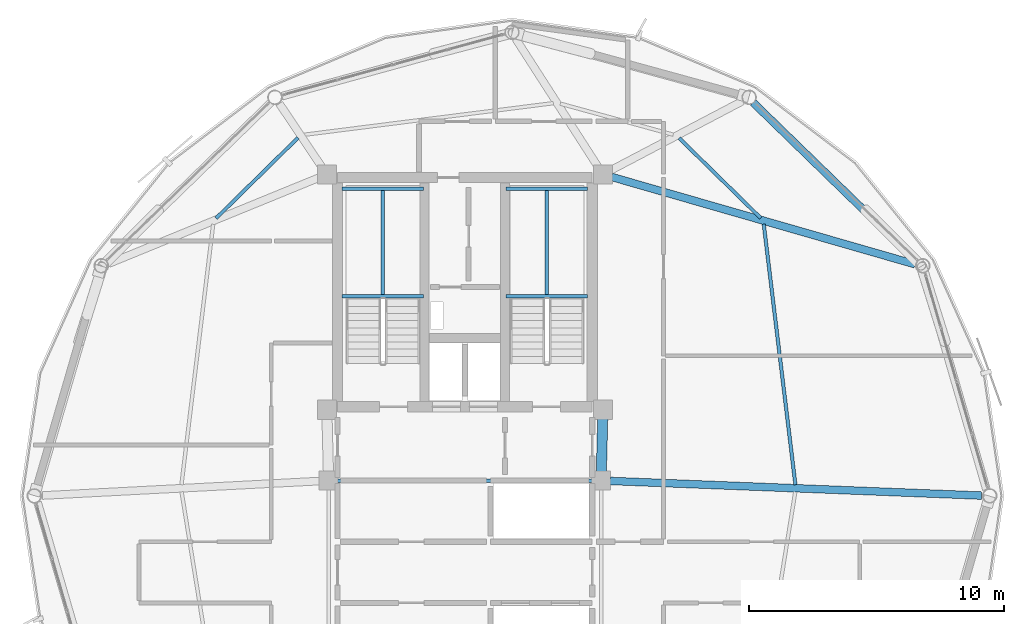
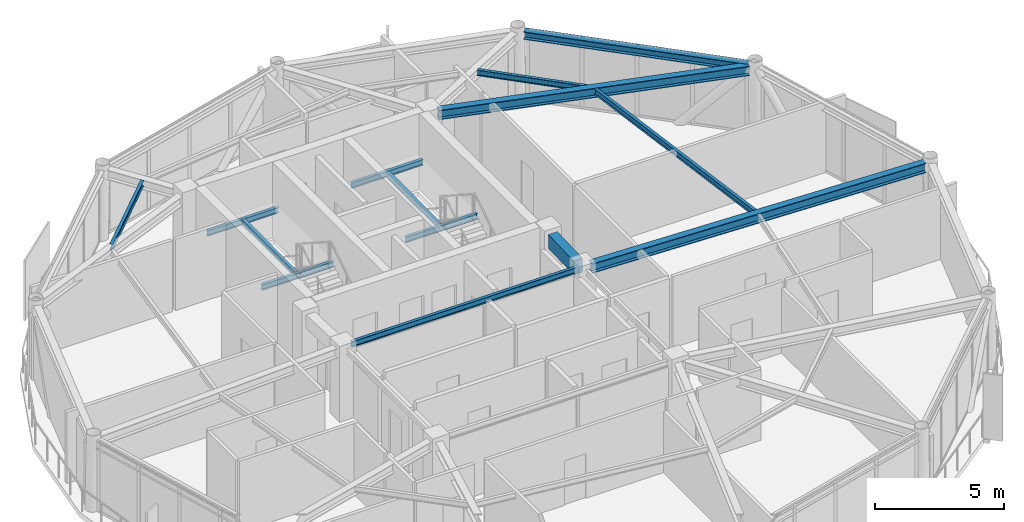
# One storey, part 14 of 27: 14 beams.
"""IFC4 building model written with IfcOpenShell, lengths in metres."""

from ifc_helpers import new_model, si_unit, direction, frame, origin, origin_2d, place, context, subcontext, project, spatial, rectangle, i_section, extrude, material, material_profile, profile_set, type_object, element, save


model = new_model("IFC4")

# Units and contexts
model_context = context("Model", 3, precision=1e-05, world=origin(), true_north=direction((0.0, 1.0)))
body_context = subcontext(model_context, "Body", "Model", "MODEL_VIEW")
ifc_project = project(units=[si_unit("LENGTHUNIT", "METRE"), si_unit("AREAUNIT", "SQUARE_METRE"), si_unit("VOLUMEUNIT", "CUBIC_METRE"), si_unit("PLANEANGLEUNIT", "RADIAN"), si_unit("MASSUNIT", "GRAM", prefix="KILO")], contexts=[model_context])

# Site, building, storey
site_placement = place(None, origin())
site = spatial("IfcSite", under=ifc_project, at=site_placement, CompositionType="ELEMENT")
building_placement = place(site_placement, origin())
building = spatial("IfcBuilding", under=site, at=building_placement, Name="Varnakorn Sky Granary", CompositionType="ELEMENT")
storey_placement = place(building_placement, frame((0.0, 0.0, 232.800048828125)))
storey = spatial("IfcBuildingStorey", under=building, at=storey_placement, Name="L59", CompositionType="ELEMENT", Elevation=232.800048828125)

# Beams
ifc_material_1 = material(Name="Concrete C50/60", Category="concrete")
ifc_material_profile_1 = material_profile(ifc_material_1, rectangle(XDim=0.39990234375, YDim=0.64990234375, at=origin_2d()), Name="RC 400x650")
ifc_profile_set_1 = profile_set([ifc_material_profile_1], Name="Concrete C50/60")
beam_type_1 = type_object("IfcBeamType", Name="BM-LIN-650", PredefinedType="LINTEL", material=ifc_profile_set_1)
beam_1_placement = place(storey_placement, frame((8.4111328125, 3.025146484375, 3.034912109375), z_axis=(-0.025227817192, -0.999681727971, 0.0), x_axis=(0.999681727971, -0.025227817192, 0.0)))
element("IfcBeam", 1, at=beam_1_placement, inside=storey, type_object=beam_type_1, Name="Core Spine Framing Beam 2 L59", PredefinedType="LINTEL", context=body_context, shape_type="SweptSolid", body=[
    extrude(rectangle(XDim=0.39990234375, YDim=0.64990234375, at=origin_2d()), origin(), (0.0, 0.0, 1.0), 2.071044921875),
])
ifc_material_2 = material(Name="Steel S355JR", Category="steel")
ifc_material_profile_2 = material_profile(ifc_material_2, i_section(OverallWidth=0.135009765625, OverallDepth=0.27001953125, WebThickness=0.006591796875, FlangeThickness=0.01025390625, at=origin_2d()), Name="IPE 270")
ifc_profile_set_2 = profile_set([ifc_material_profile_2], Name="Steel S355JR")
beam_type_2 = type_object("IfcBeamType", Name="BM-LND-270", PredefinedType="BEAM", material=ifc_profile_set_2)
for number, where, z_axis, x_axis, name in (
    (2, (-1.820068359375, 7.840087890625, 1.46484375), (1.0, 0.0, 0.0), (0.0, 1.0, 0.0), "Stair ST-1 Landing Trimmer Beam A L59-1"),
    (3, (-1.820068359375, 12.06005859375, 1.46484375), (1.0, 0.0, 0.0), (0.0, 1.0, 0.0), "Stair ST-1 Landing Trimmer Beam B L59-1"),
):
    element("IfcBeam", number, at=place(storey_placement, frame(where, z_axis=z_axis, x_axis=x_axis)), inside=storey, type_object=beam_type_2, Name=name, PredefinedType="BEAM", context=body_context, shape_type="SweptSolid", body=[
        extrude(i_section(OverallWidth=0.135009765625, OverallDepth=0.27001953125, WebThickness=0.006591796875, FlangeThickness=0.01025390625, at=origin_2d()), origin(), (0.0, 0.0, 1.0), 3.199951171875),
    ])
beam_2_placement = place(storey_placement, frame((-0.219970703125, 7.840087890625, 1.46484375), z_axis=(0.0, 1.0, 0.0), x_axis=(-1.0, 0.0, 0.0)))
element("IfcBeam", 4, at=beam_2_placement, inside=storey, type_object=beam_type_2, Name="Stair ST-1 Landing Cross Beam C L59-1", PredefinedType="BEAM", context=body_context, shape_type="SweptSolid", body=[
    extrude(i_section(OverallWidth=0.135009765625, OverallDepth=0.27001953125, WebThickness=0.006591796875, FlangeThickness=0.01025390625, at=origin_2d()), origin(), (0.0, 0.0, 1.0), 4.219970703125),
])
for number, where, z_axis, x_axis, name in (
    (5, (4.6201171875, 7.840087890625, 1.46484375), (1.0, 0.0, 0.0), (0.0, 1.0, 0.0), "Stair ST-2 Landing Trimmer Beam A L59-1"),
    (6, (4.6201171875, 12.06005859375, 1.46484375), (1.0, 0.0, 0.0), (0.0, 1.0, 0.0), "Stair ST-2 Landing Trimmer Beam B L59-1"),
):
    element("IfcBeam", number, at=place(storey_placement, frame(where, z_axis=z_axis, x_axis=x_axis)), inside=storey, type_object=beam_type_2, Name=name, PredefinedType="BEAM", context=body_context, shape_type="SweptSolid", body=[
        extrude(i_section(OverallWidth=0.135009765625, OverallDepth=0.27001953125, WebThickness=0.006591796875, FlangeThickness=0.01025390625, at=origin_2d()), origin(), (0.0, 0.0, 1.0), 3.199951171875),
    ])
beam_3_placement = place(storey_placement, frame((6.219970703125, 7.840087890625, 1.46484375), z_axis=(0.0, 1.0, 0.0), x_axis=(-1.0, 0.0, 0.0)))
element("IfcBeam", 7, at=beam_3_placement, inside=storey, type_object=beam_type_2, Name="Stair ST-2 Landing Cross Beam C L59-1", PredefinedType="BEAM", context=body_context, shape_type="SweptSolid", body=[
    extrude(i_section(OverallWidth=0.135009765625, OverallDepth=0.27001953125, WebThickness=0.006591796875, FlangeThickness=0.01025390625, at=origin_2d()), origin(), (0.0, 0.0, 1.0), 4.219970703125),
])
ifc_material_profile_3 = material_profile(ifc_material_2, i_section(OverallWidth=0.300048828125, OverallDepth=0.449951171875, WebThickness=0.013916015625, FlangeThickness=0.02587890625, at=origin_2d()), Name="HE 450 B")
ifc_profile_set_3 = profile_set([ifc_material_profile_3], Name="Steel S355JR")
beam_type_3 = type_object("IfcBeamType", Name="BM-RAD-Z5", PredefinedType="BEAM", material=ifc_profile_set_3)
beam_4_placement = place(storey_placement, frame((8.70458984375, 0.5859375, 3.135009765625), z_axis=(0.999221962241, -0.039439449478, 0.0), x_axis=(0.039439449478, 0.999221962241, 0.0)))
element("IfcBeam", 8, at=beam_4_placement, inside=storey, type_object=beam_type_3, Name="Radial Floor Girder RG01 L59", PredefinedType="BEAM", context=body_context, shape_type="SweptSolid", body=[
    extrude(i_section(OverallWidth=0.300048828125, OverallDepth=0.449951171875, WebThickness=0.013916015625, FlangeThickness=0.02587890625, at=origin_2d()), origin(), (0.0, 0.0, 1.0), 14.59033203125),
])
beam_5_placement = place(storey_placement, frame((8.760986328125, 12.521728515625, 3.135009765625), z_axis=(0.960971234645, -0.276648307758, 0.0), x_axis=(0.276648307758, 0.960971234645, 0.0)))
element("IfcBeam", 9, at=beam_5_placement, inside=storey, type_object=beam_type_3, Name="Radial Floor Girder RG02 L59", PredefinedType="BEAM", context=body_context, shape_type="SweptSolid", body=[
    extrude(i_section(OverallWidth=0.300048828125, OverallDepth=0.449951171875, WebThickness=0.013916015625, FlangeThickness=0.02587890625, at=origin_2d()), origin(), (0.0, 0.0, 1.0), 12.39453125),
])
ifc_material_profile_4 = material_profile(ifc_material_2, i_section(OverallWidth=0.135009765625, OverallDepth=0.27001953125, WebThickness=0.006591796875, FlangeThickness=0.01025390625, at=origin_2d()), Name="IPE 270")
ifc_profile_set_4 = profile_set([ifc_material_profile_4], Name="Steel S355JR")
beam_type_4 = type_object("IfcBeamType", Name="BM-SEC-Z5", PredefinedType="BEAM", material=ifc_profile_set_4)
beam_6_placement = place(storey_placement, frame((15.977294921875, 0.437255859375, 3.224853515625), z_axis=(-0.120692860918, 0.992689897865, 0.0), x_axis=(-0.992689897865, -0.120692860918, 0.0)))
element("IfcBeam", 10, at=beam_6_placement, inside=storey, type_object=beam_type_4, Name="Secondary Floor Chord Beam MSB01 L59", PredefinedType="BEAM", context=body_context, shape_type="SweptSolid", body=[
    extrude(i_section(OverallWidth=0.135009765625, OverallDepth=0.27001953125, WebThickness=0.006591796875, FlangeThickness=0.01025390625, at=origin_2d()), origin(), (0.0, 0.0, 1.0), 10.306396484375),
])
beam_7_placement = place(storey_placement, frame((14.616455078125, 10.9052734375, 3.224853515625), z_axis=(-0.713962331431, 0.700184111, 0.0), x_axis=(-0.700184111, -0.713962331431, 0.0)))
element("IfcBeam", 11, at=beam_7_placement, inside=storey, type_object=beam_type_4, Name="Secondary Floor Chord Beam MSB02 L59", PredefinedType="BEAM", context=body_context, shape_type="SweptSolid", body=[
    extrude(i_section(OverallWidth=0.135009765625, OverallDepth=0.27001953125, WebThickness=0.006591796875, FlangeThickness=0.01025390625, at=origin_2d()), origin(), (0.0, 0.0, 1.0), 4.48291015625),
])
beam_8_placement = place(storey_placement, frame((-3.55078125, 14.060546875, 3.224853515625), z_axis=(-0.713120251469, -0.701041729817, 0.0), x_axis=(0.701041729817, -0.713120251469, 0.0)))
element("IfcBeam", 12, at=beam_8_placement, inside=storey, type_object=beam_type_4, Name="Secondary Floor Chord Beam MSB05 L59", PredefinedType="BEAM", context=body_context, shape_type="SweptSolid", body=[
    extrude(i_section(OverallWidth=0.135009765625, OverallDepth=0.27001953125, WebThickness=0.006591796875, FlangeThickness=0.01025390625, at=origin_2d()), origin(), (0.0, 0.0, 1.0), 4.507568359375),
])
beam_9_placement = place(storey_placement, frame((-1.9951171875, 0.60009765625, 3.224853515625), z_axis=(1.0, 0.0, 0.0), x_axis=(0.0, 1.0, 0.0)))
element("IfcBeam", 13, at=beam_9_placement, inside=storey, type_object=beam_type_4, Name="Core Spine Framing Beam 5 L59", PredefinedType="BEAM", context=body_context, shape_type="SweptSolid", body=[
    extrude(i_section(OverallWidth=0.135009765625, OverallDepth=0.27001953125, WebThickness=0.006591796875, FlangeThickness=0.01025390625, at=origin_2d()), origin(), (0.0, 0.0, 1.0), 9.990234375),
])
ifc_material_profile_5 = material_profile(ifc_material_2, i_section(OverallWidth=0.300048828125, OverallDepth=0.360107421875, WebThickness=0.012451171875, FlangeThickness=0.0224609375, at=origin_2d()), Name="HE 360 B")
ifc_profile_set_5 = profile_set([ifc_material_profile_5], Name="Steel S355JR")
beam_type_5 = type_object("IfcBeamType", Name="BM-SPD-Z5", PredefinedType="SPANDREL", material=ifc_profile_set_5)
beam_10_placement = place(storey_placement, frame((20.736328125, 9.203857421875, 3.179931640625), z_axis=(-0.717146468568, 0.696922479635, 0.0), x_axis=(-0.696922479635, -0.717146468568, 0.0)))
element("IfcBeam", 14, at=beam_10_placement, inside=storey, type_object=beam_type_5, Name="Perimeter Spandrel Ring Beam RB02 L59", PredefinedType="SPANDREL", context=body_context, shape_type="SweptSolid", body=[
    extrude(i_section(OverallWidth=0.300048828125, OverallDepth=0.360107421875, WebThickness=0.012451171875, FlangeThickness=0.0224609375, at=origin_2d()), origin(), (0.0, 0.0, 1.0), 8.9453125),
])

save(model, "model.ifc")
